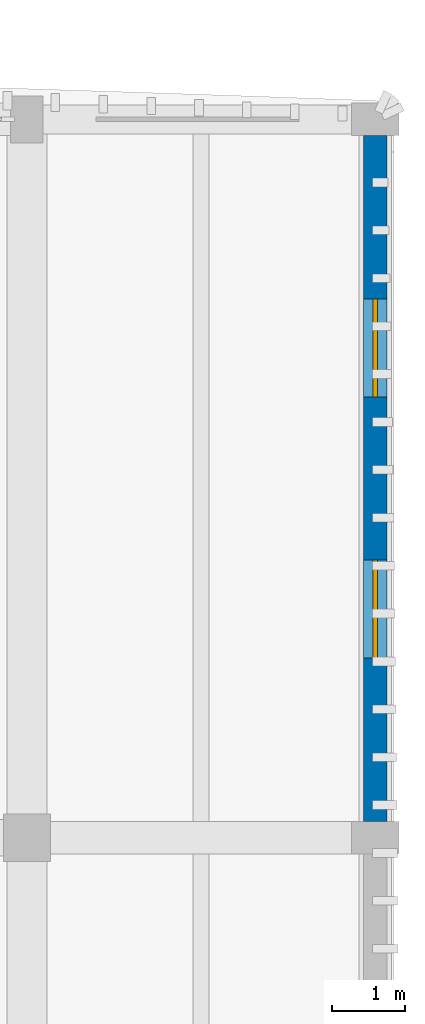
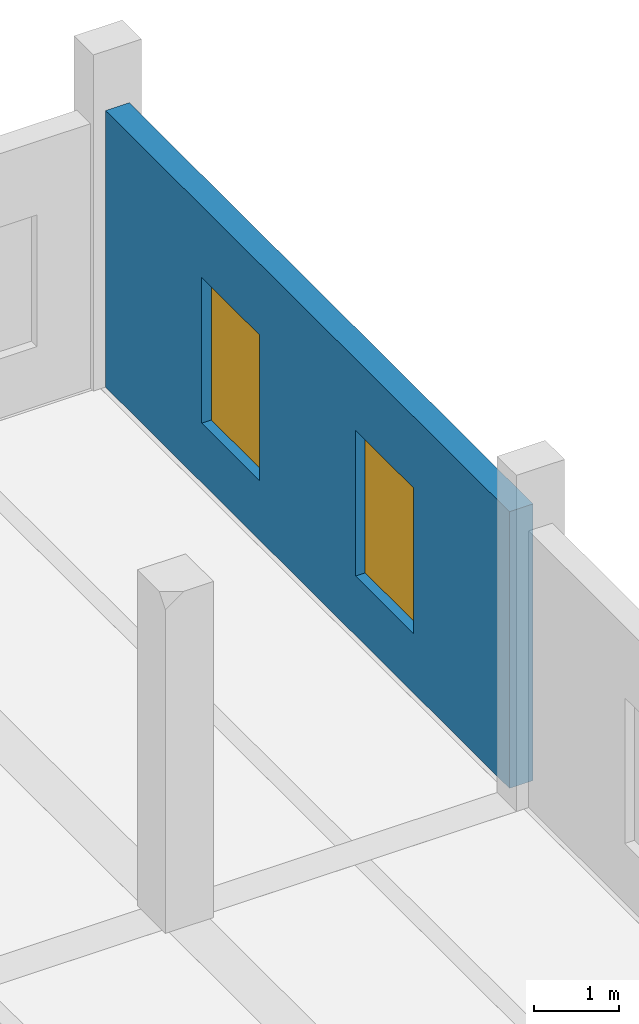
# One storey, part 58 of 76: 2 windows, 1 wall, 2 openings.
"""IFC4 building model written with IfcOpenShell, lengths in metres."""

from ifc_helpers import new_model, si_unit, direction, frame, frame_2d, origin, place, context, subcontext, project, spatial, rectangle, extrude, material, layer, layer_set, type_object, element, fill, save


model = new_model("IFC4")

# Units and contexts
model_context = context("Model", 3, precision=1e-05, world=origin(), true_north=direction((0.0, 1.0)))
body_context = subcontext(model_context, "Body", "Model", "MODEL_VIEW")
ifc_project = project(units=[si_unit("LENGTHUNIT", "METRE"), si_unit("AREAUNIT", "SQUARE_METRE"), si_unit("VOLUMEUNIT", "CUBIC_METRE"), si_unit("PLANEANGLEUNIT", "RADIAN"), si_unit("MASSUNIT", "GRAM", prefix="KILO")], contexts=[model_context])

# Site, building, storey
site_placement = place(None, origin())
site = spatial("IfcSite", under=ifc_project, at=site_placement, CompositionType="ELEMENT")
building_placement = place(site_placement, origin())
building = spatial("IfcBuilding", under=site, at=building_placement, Name="Dornvale Research Institute", CompositionType="ELEMENT")
storey_placement = place(building_placement, frame((0.0, 0.0, 15.0)))
storey = spatial("IfcBuildingStorey", under=building, at=storey_placement, Name="L03", CompositionType="ELEMENT", Elevation=15.0)

# Wall, openings, windows
ifc_material_1 = material(Name="Catalan Pressed Brick and Insulated Cavity Assembly", Category="masonry")
ifc_layer = layer(ifc_material_1, 0.320068359375)
ifc_layer_set = layer_set([ifc_layer], Name="Catalan Pressed Brick and Insulated Cavity Assembly")
wall_type = type_object("IfcWallType", Name="StandardWall_BrickCavity_320", PredefinedType="STANDARD", material=ifc_layer_set)
wall_placement = place(storey_placement, frame((178.199951171875, 121.875, 0.0), z_axis=(0.0, 0.0, 1.0), x_axis=(0.0, -1.0, 0.0)))
wall = element("IfcWall", 1, at=wall_placement, inside=storey, type_object=wall_type, Name="L03 V4 east exterior wall #239", PredefinedType="STANDARD", context=body_context, shape_type="SweptSolid", body=[
    extrude(rectangle(XDim=9.449951171875, YDim=0.320068359375, at=frame_2d((4.72509765625, 0.0))), origin(), (0.0, 0.0, 1.0), 3.949951171875),
])
opening_1_placement = place(wall_placement, frame((2.25, 0.0, 0.85009765625)))
opening_1 = element("IfcOpeningElement", 2, at=opening_1_placement, cuts=wall, Name="Opening W-38", PredefinedType="OPENING", context=body_context, shape_type="SweptSolid", body=[
    extrude(rectangle(XDim=1.35009765625, YDim=2.080078125, at=frame_2d((0.675048828125, 1.0400390625))), frame((0.0, 0.175048828125, 0.0), z_axis=(0.0, -1.0, 0.0), x_axis=(1.0, 0.0, 0.0)), (0.0, 0.0, 1.0), 0.35009765625),
])
opening_2_placement = place(wall_placement, frame((5.85009765625, 0.0, 0.85009765625)))
opening_2 = element("IfcOpeningElement", 3, at=opening_2_placement, cuts=wall, Name="Opening W-38", PredefinedType="OPENING", context=body_context, shape_type="SweptSolid", body=[
    extrude(rectangle(XDim=1.35009765625, YDim=2.080078125, at=frame_2d((0.675048828125, 1.0400390625))), frame((0.0, 0.175048828125, 0.0), z_axis=(0.0, -1.0, 0.0), x_axis=(1.0, 0.0, 0.0)), (0.0, 0.0, 1.0), 0.35009765625),
])
ifc_material_2 = material(Name="Low-E Argon Double Insulating Glazing Unit", Category="glass")
window_type = type_object("IfcWindowType", Name="Window_Alu_1350x2080_38", PartitioningType="SINGLE_PANEL", PredefinedType="WINDOW", material=ifc_material_2)
window_1_placement = place(opening_1_placement, origin())
window_1 = element("IfcWindow", 4, at=window_1_placement, inside=storey, type_object=window_type, Name="L03 V4 facade window W-38 #320", OverallHeight=2.080078125, OverallWidth=1.35009765625, PartitioningType="SINGLE_PANEL", PredefinedType="WINDOW", context=body_context, shape_type="SweptSolid", body=[
    extrude(rectangle(XDim=1.35009765625, YDim=2.080078125, at=frame_2d((0.675048828125, 1.0400390625))), frame((0.0, 0.030029296875, 0.0), z_axis=(0.0, -1.0, 0.0), x_axis=(1.0, 0.0, 0.0)), (0.0, 0.0, 1.0), 0.06005859375),
])
fill(opening_1, window_1)
window_2_placement = place(opening_2_placement, origin())
window_2 = element("IfcWindow", 5, at=window_2_placement, inside=storey, type_object=window_type, Name="L03 V4 facade window W-38 #321", OverallHeight=2.080078125, OverallWidth=1.35009765625, PartitioningType="SINGLE_PANEL", PredefinedType="WINDOW", context=body_context, shape_type="SweptSolid", body=[
    extrude(rectangle(XDim=1.35009765625, YDim=2.080078125, at=frame_2d((0.675048828125, 1.0400390625))), frame((0.0, 0.030029296875, 0.0), z_axis=(0.0, -1.0, 0.0), x_axis=(1.0, 0.0, 0.0)), (0.0, 0.0, 1.0), 0.06005859375),
])
fill(opening_2, window_2)

save(model, "model.ifc")
